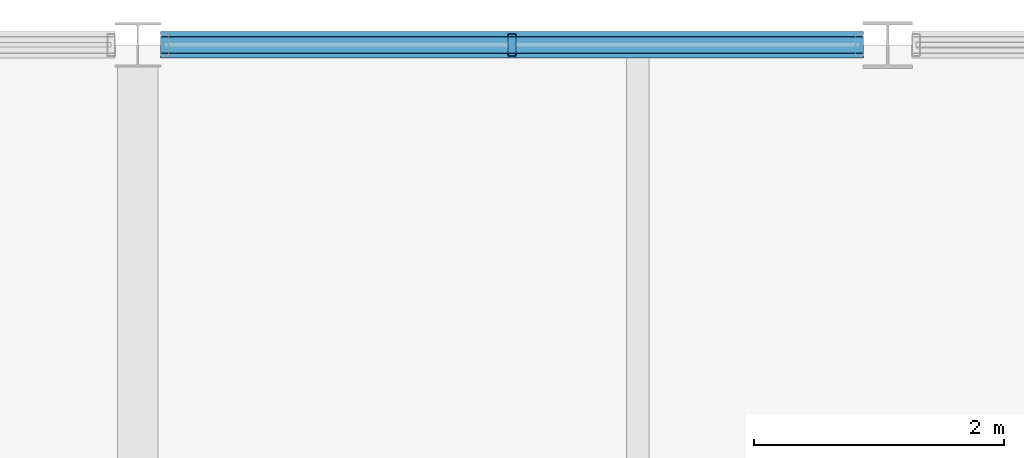
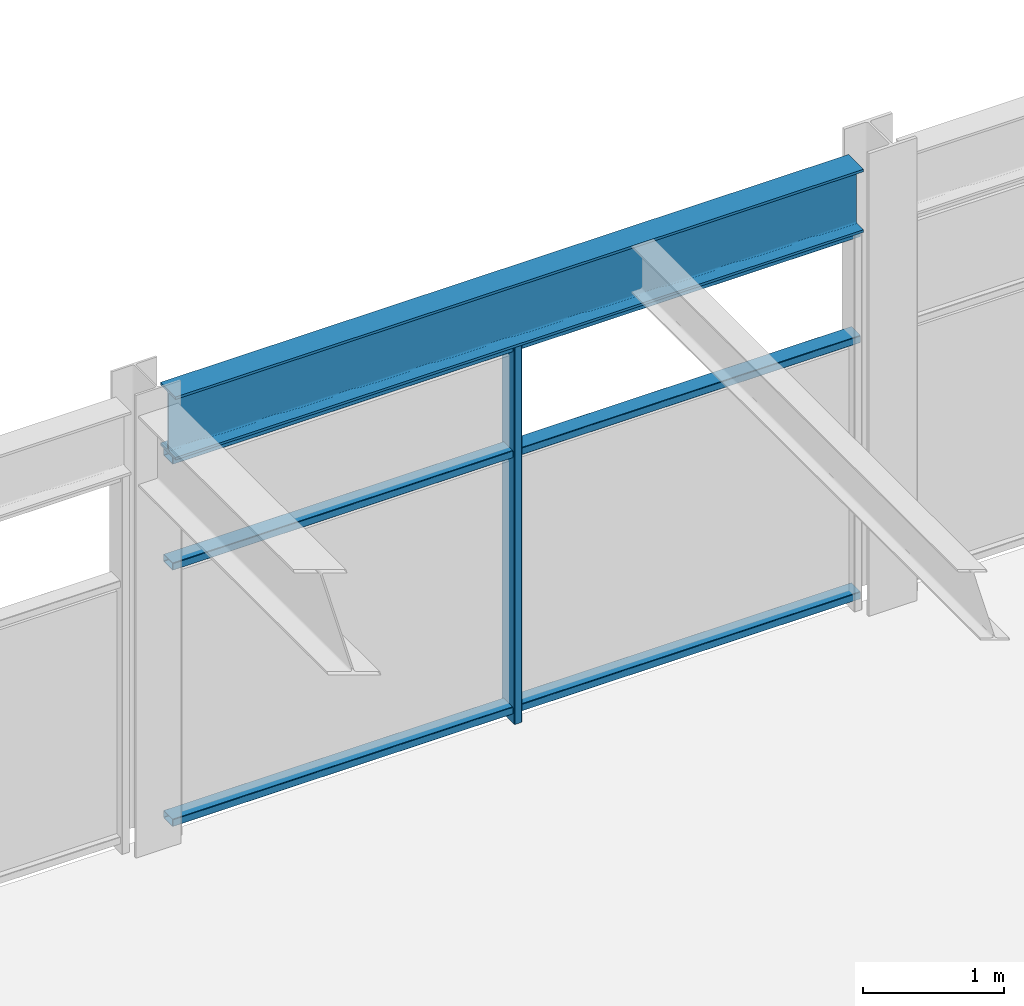
# One storey, part 24 of 40: 4 members, 1 beam, 1 element without a shape of its own.
"""IFC4 building model written with IfcOpenShell, lengths in metres."""

from ifc_helpers import new_model, si_unit, direction, frame, origin, origin_2d, place, context, subcontext, project, spatial, hollow_rectangle, i_section, extrude, material, material_profile, profile_set, type_object, element, aggregate, save


model = new_model("IFC4")

# Units and contexts
model_context = context("Model", 3, precision=1e-05, world=origin(), true_north=direction((0.0, 1.0)))
body_context = subcontext(model_context, "Body", "Model", "MODEL_VIEW")
ifc_project = project(units=[si_unit("LENGTHUNIT", "METRE"), si_unit("AREAUNIT", "SQUARE_METRE"), si_unit("VOLUMEUNIT", "CUBIC_METRE"), si_unit("PLANEANGLEUNIT", "RADIAN"), si_unit("MASSUNIT", "GRAM", prefix="KILO")], contexts=[model_context])

# Site, building, storey
site_placement = place(None, origin())
site = spatial("IfcSite", under=ifc_project, at=site_placement, CompositionType="ELEMENT")
building_placement = place(site_placement, origin())
building = spatial("IfcBuilding", under=site, at=building_placement, Name="Girod Span Mobility Hub", CompositionType="ELEMENT")
storey_placement = place(building_placement, frame((0.0, 0.0, 53.60009765625)))
storey = spatial("IfcBuildingStorey", under=building, at=storey_placement, Name="L13", CompositionType="ELEMENT", Elevation=53.60009765625)

# Beam
ifc_material_1 = material(Name="Steel A992 Grade 50", Category="steel")
ifc_material_profile_1 = material_profile(ifc_material_1, i_section(OverallWidth=0.2119140625, OverallDepth=0.5439453125, WebThickness=0.01318359375, FlangeThickness=0.021240234375, FilletRadius=0.014892578125, at=origin_2d()), Name="W21X83")
ifc_profile_set_1 = profile_set([ifc_material_profile_1], Name="Steel A992 Grade 50")
beam_type = type_object("IfcBeamType", Name="BM-STL-W21X83", PredefinedType="SPANDREL", material=ifc_profile_set_1)
beam_placement = place(storey_placement, frame((96.181396484375, 69.0, 3.54296875), z_axis=(1.0, 0.0, 0.0), x_axis=(0.0, 1.0, 0.0)))
element("IfcBeam", 1, at=beam_placement, inside=storey, type_object=beam_type, Name="Spandrel Beam 9-10/F-W L13", PredefinedType="SPANDREL", context=body_context, shape_type="SweptSolid", body=[
    extrude(i_section(OverallWidth=0.2119140625, OverallDepth=0.5439453125, WebThickness=0.01318359375, FlangeThickness=0.021240234375, FilletRadius=0.014892578125, at=origin_2d()), origin(), (0.0, 0.0, 1.0), 5.62451171875),
])

# Curtain wall, members
ifc_material_2 = material(Name="Thermally Broken Anodised Aluminium", Category="aluminium")
curtain_wall_type = type_object("IfcCurtainWallType", Name="CW-562X327", PredefinedType="USERDEFINED", material=ifc_material_2)
curtain_wall_placement = place(storey_placement, origin())
curtain_wall = element("IfcCurtainWall", 2, at=curtain_wall_placement, inside=storey, type_object=curtain_wall_type, Name="Unitised Curtain Wall CW-L13-N09W L13", ObjectType="UNITISED CURTAIN WALL", PredefinedType="USERDEFINED")
ifc_material_3 = material(Name="Thermally Broken Anodised Aluminium", Category="aluminium")
ifc_material_profile_2 = material_profile(ifc_material_3, hollow_rectangle(XDim=0.179931640625, YDim=0.06494140625, WallThickness=0.00390625, InnerFilletRadius=0.00390625, OuterFilletRadius=0.008056640625, at=origin_2d()), Name="CW-ML-65X180")
ifc_profile_set_2 = profile_set([ifc_material_profile_2], Name="Thermally Broken Anodised Aluminium")
member_type_1 = type_object("IfcMemberType", Name="CWM-ML-2", PredefinedType="MULLION", material=ifc_profile_set_2)
member_1_placement = place(storey_placement, frame((98.993896484375, 69.0, 0.0), z_axis=(0.0, 0.0, 1.0), x_axis=(0.0, 1.0, 0.0)))
member_1 = element("IfcMember", 3, at=member_1_placement, type_object=member_type_1, Name="Curtain Wall Mullion CW-L13-N09W-M1", PredefinedType="MULLION", context=body_context, shape_type="SweptSolid", body=[
    extrude(hollow_rectangle(XDim=0.179931640625, YDim=0.06494140625, WallThickness=0.00390625, InnerFilletRadius=0.00390625, OuterFilletRadius=0.008056640625, at=origin_2d()), origin(), (0.0, 0.0, 1.0), 3.27099609375),
])
ifc_material_4 = material(Name="Thermally Broken Anodised Aluminium", Category="aluminium")
ifc_material_profile_3 = material_profile(ifc_material_4, hollow_rectangle(XDim=0.135009765625, YDim=0.06494140625, WallThickness=0.00390625, InnerFilletRadius=0.00390625, OuterFilletRadius=0.008056640625, at=origin_2d()), Name="CW-TR-65X135")
ifc_profile_set_3 = profile_set([ifc_material_profile_3], Name="Thermally Broken Anodised Aluminium")
member_type_2 = type_object("IfcMemberType", Name="CWM-TR-2", PredefinedType="USERDEFINED", material=ifc_profile_set_3)
member_2_placement = place(storey_placement, frame((96.1826171875, 69.0, 0.107421875), z_axis=(1.0, 0.0, 0.0), x_axis=(0.0, 1.0, 0.0)))
member_2 = element("IfcMember", 4, at=member_2_placement, type_object=member_type_2, Name="Curtain Wall Transom CW-L13-N09W-T1", ObjectType="TRANSOM", PredefinedType="USERDEFINED", context=body_context, shape_type="SweptSolid", body=[
    extrude(hollow_rectangle(XDim=0.135009765625, YDim=0.06494140625, WallThickness=0.00390625, InnerFilletRadius=0.00390625, OuterFilletRadius=0.008056640625, at=origin_2d()), origin(), (0.0, 0.0, 1.0), 5.622314453125),
])
member_3_placement = place(storey_placement, frame((96.1826171875, 69.0, 2.322509765625), z_axis=(1.0, 0.0, 0.0), x_axis=(0.0, 1.0, 0.0)))
member_3 = element("IfcMember", 5, at=member_3_placement, type_object=member_type_2, Name="Curtain Wall Transom CW-L13-N09W-T2", ObjectType="TRANSOM", PredefinedType="USERDEFINED", context=body_context, shape_type="SweptSolid", body=[
    extrude(hollow_rectangle(XDim=0.135009765625, YDim=0.06494140625, WallThickness=0.00390625, InnerFilletRadius=0.00390625, OuterFilletRadius=0.008056640625, at=origin_2d()), origin(), (0.0, 0.0, 1.0), 5.622314453125),
])
member_4_placement = place(storey_placement, frame((96.1826171875, 69.0, 3.23828125), z_axis=(1.0, 0.0, 0.0), x_axis=(0.0, 1.0, 0.0)))
member_4 = element("IfcMember", 6, at=member_4_placement, type_object=member_type_2, Name="Curtain Wall Transom CW-L13-N09W-T3", ObjectType="TRANSOM", PredefinedType="USERDEFINED", context=body_context, shape_type="SweptSolid", body=[
    extrude(hollow_rectangle(XDim=0.135009765625, YDim=0.06494140625, WallThickness=0.00390625, InnerFilletRadius=0.00390625, OuterFilletRadius=0.008056640625, at=origin_2d()), origin(), (0.0, 0.0, 1.0), 5.622314453125),
])
aggregate(curtain_wall, [member_1, member_2, member_3, member_4])

save(model, "model.ifc")
